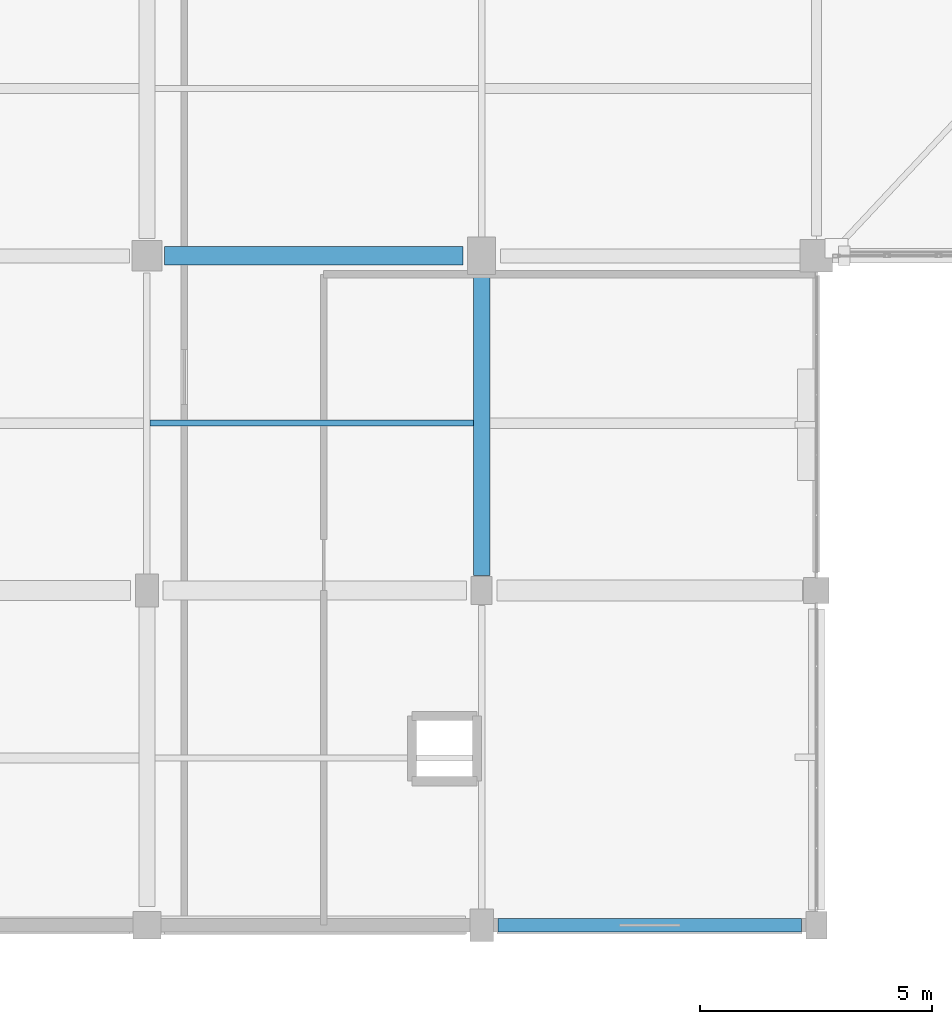
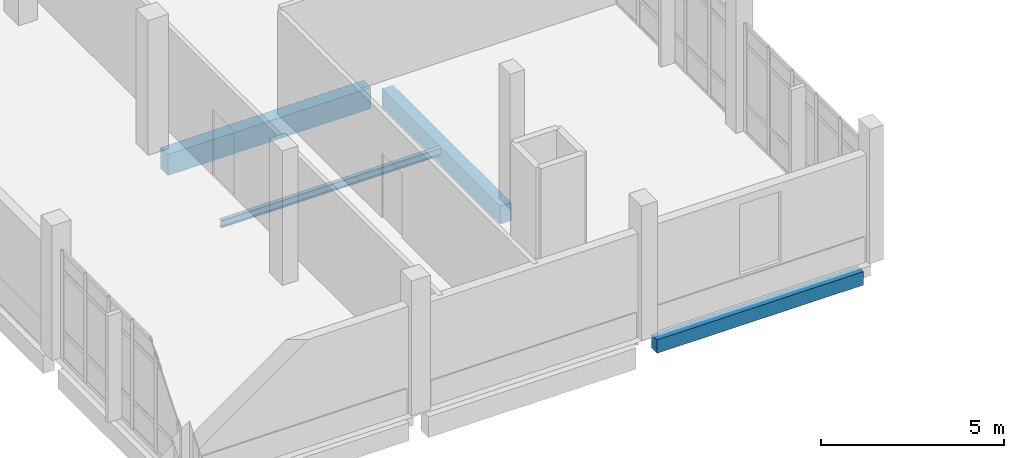
# One storey, part 10 of 124: 4 beams.
"""IFC4 building model written with IfcOpenShell, lengths in metres."""

import ifcopenshell
import ifcopenshell.guid

model = None  # the IFC model being written
_history = None  # IfcOwnerHistory: only IFC2X3 demands one
_inside = {}  # id of a spatial element -> (the spatial element, [elements in it])
_under = {}  # id of a project, library or spatial element -> (it, [spatial elements below it])
_declared = {}  # id of a project -> (the project, [libraries it declares])
_typed = {}  # id of a type object -> (the type object, [elements of that type])
_made_of = {}  # id of a material, layer set ... -> (it, [elements and type objects made of it])


def new_model(schema):
    """Start an empty IFC model of exactly this schema.

    Asked for "IFC4X3", IfcOpenShell would pick the latest addendum, in which some entities
    have other attributes; the version numbers below select the first issue.
    IFC2X3 requires an IfcOwnerHistory on every rooted entity: one is made here for all.
    """
    global model, _history
    if schema == "IFC4X3":
        model = ifcopenshell.file(schema_version=(4, 3, 0, 0))
    else:
        model = ifcopenshell.file(schema=schema)
    _inside.clear()
    _under.clear()
    _declared.clear()
    _typed.clear()
    _made_of.clear()
    _history = None
    if model.schema == "IFC2X3":
        org = make("IfcOrganization", Name="unknown")
        user = make(
            "IfcPersonAndOrganization",
            ThePerson=make("IfcPerson", FamilyName="unknown"),
            TheOrganization=org,
        )
        app = make(
            "IfcApplication",
            ApplicationDeveloper=org,
            Version="unknown",
            ApplicationFullName="unknown",
            ApplicationIdentifier="unknown",
        )
        _history = make(
            "IfcOwnerHistory",
            OwningUser=user,
            OwningApplication=app,
            ChangeAction="ADDED",
            CreationDate=0,
        )
    return model


def make(cls, **values):
    """One entity of the class cls with the attributes given. An attribute that is None is left unset."""
    return model.create_entity(
        cls, **{name: value for name, value in values.items() if value is not None}
    )


def rooted(cls, **values):
    """An entity with a GlobalId (a new one), such as an element, a storey or a relation."""
    return make(cls, GlobalId=ifcopenshell.guid.new(), OwnerHistory=_history, **values)


def si_unit(unit_type, name, prefix=None):
    """IfcSIUnit, for example si_unit("LENGTHUNIT", "METRE", prefix="MILLI")."""
    return make("IfcSIUnit", UnitType=unit_type, Prefix=prefix, Name=name)


def assignment(units):
    """IfcUnitAssignment: the units of a project."""
    return None if units is None else make("IfcUnitAssignment", Units=units)


def point(xyz):
    """IfcCartesianPoint."""
    return None if xyz is None else make("IfcCartesianPoint", Coordinates=xyz)


def direction(xyz):
    """IfcDirection."""
    return None if xyz is None else make("IfcDirection", DirectionRatios=xyz)


def frame(location, z_axis=None, x_axis=None):
    """IfcAxis2Placement3D, a coordinate frame: its origin and axes. An axis left out is left unset."""
    return make(
        "IfcAxis2Placement3D",
        Location=point(location),
        Axis=direction(z_axis),
        RefDirection=direction(x_axis),
    )


def frame_2d(location, x_axis=None):
    """IfcAxis2Placement2D, a coordinate frame in the plane: its origin and x axis."""
    return make(
        "IfcAxis2Placement2D", Location=point(location), RefDirection=direction(x_axis)
    )


def origin():
    """The frame at (0, 0, 0) with its axes left unset."""
    return frame((0.0, 0.0, 0.0))


def origin_2d():
    """The frame at (0, 0) in the plane with its x axis left unset."""
    return frame_2d((0.0, 0.0))


def place(relative_to, where):
    """IfcLocalPlacement: puts the frame where relative to a parent placement (None: the world)."""
    return make(
        "IfcLocalPlacement", PlacementRelTo=relative_to, RelativePlacement=where
    )


def context(
    kind, dimensions, precision=None, world=None, true_north=None, identifier=None
):
    """IfcGeometricRepresentationContext, for example the 3D "Model" context."""
    return make(
        "IfcGeometricRepresentationContext",
        ContextIdentifier=identifier,
        ContextType=kind,
        CoordinateSpaceDimension=dimensions,
        Precision=precision,
        WorldCoordinateSystem=world,
        TrueNorth=true_north,
    )


def subcontext(parent, identifier, kind, view, scale=None):
    """IfcGeometricRepresentationSubContext, for example "Body" below "Model"."""
    return make(
        "IfcGeometricRepresentationSubContext",
        ContextIdentifier=identifier,
        ContextType=kind,
        ParentContext=parent,
        TargetScale=scale,
        TargetView=view,
    )


def project(units=None, contexts=None):
    """IfcProject with its units and contexts."""
    return rooted(
        "IfcProject",
        Name="project",
        RepresentationContexts=contexts,
        UnitsInContext=assignment(units),
    )


def spatial(cls, under=None, at=None, **own):
    """A site, building, storey or space (cls), placed at a placement, below another one or the project."""
    s = rooted(cls, ObjectPlacement=at, **own)
    if under is not None:
        _under.setdefault(under.id(), (under, []))[1].append(s)
    return s


def profile(cls, at=None, kind="AREA", **sizes):
    """A parametric profile (cls). Its sizes go by their IFC names, for example OverallWidth=200.0."""
    return make(cls, ProfileType=kind, Position=at, **sizes)


def rectangle(**sizes):
    """IfcRectangleProfileDef."""
    return profile("IfcRectangleProfileDef", **sizes)


def i_section(**sizes):
    """IfcIShapeProfileDef."""
    return profile("IfcIShapeProfileDef", **sizes)


def extrude(swept, where, along, depth):
    """IfcExtrudedAreaSolid: the profile swept, set in the frame where, extruded along a direction by depth."""
    return make(
        "IfcExtrudedAreaSolid",
        SweptArea=swept,
        Position=where,
        ExtrudedDirection=direction(along),
        Depth=depth,
    )


def shape(context_of_items, identifier, shape_type, items):
    """IfcShapeRepresentation: the items that make up one representation, for example the "Body"."""
    return make(
        "IfcShapeRepresentation",
        ContextOfItems=context_of_items,
        RepresentationIdentifier=identifier,
        RepresentationType=shape_type,
        Items=items,
    )


def material(Name=None, Category=None):
    """IfcMaterial."""
    return make("IfcMaterial", Name=Name, Category=Category)


def material_profile(
    of_material, cross_section, Name=None, Category=None, Priority=None
):
    """IfcMaterialProfile: a cross section and its material."""
    return make(
        "IfcMaterialProfile",
        Name=Name,
        Material=of_material,
        Profile=cross_section,
        Priority=Priority,
        Category=Category,
    )


def profile_set(profiles, Name=None, composite=None):
    """IfcMaterialProfileSet."""
    return make(
        "IfcMaterialProfileSet",
        Name=Name,
        MaterialProfiles=profiles,
        CompositeProfile=composite,
    )


def made_of(thing, what):
    """Note that an element or type object is made of a material, layer set ...; save() writes the relation."""
    if what is not None:
        _made_of.setdefault(what.id(), (what, []))[1].append(thing)
    return thing


def type_object(cls, material=None, **own):
    """A type object (cls), such as IfcWallType, which elements share."""
    return made_of(rooted(cls, **own), material)


def element(
    cls,
    number,
    at=None,
    inside=None,
    cuts=None,
    type_object=None,
    material=None,
    context=None,
    identifier="Body",
    shape_type=None,
    held_by="IfcProductDefinitionShape",
    body=None,
    shapes=None,
    **own,
):
    """One element of the class cls, such as IfcWall. Its Tag is "e" and its number.

    at: its placement. inside: the storey or other place that contains it. cuts: it is an
    opening in that element (IfcRelVoidsElement). A single representation is given by context,
    identifier, shape_type and body (its items); several are given by shapes. held_by: the class
    of the entity that holds the representations. save() writes the other relations.
    """
    e = rooted(cls, Tag="e%d" % number, ObjectPlacement=at, **own)
    if body is not None:
        shapes = [shape(context, identifier, shape_type, body)]
    if shapes is not None:
        e.Representation = make(held_by, Representations=shapes)
    if inside is not None:
        _inside.setdefault(inside.id(), (inside, []))[1].append(e)
    if cuts is not None:
        rooted(
            "IfcRelVoidsElement", RelatingBuildingElement=cuts, RelatedOpeningElement=e
        )
    if type_object is not None:
        _typed.setdefault(type_object.id(), (type_object, []))[1].append(e)
    return made_of(e, material)


def aggregate(whole, parts):
    """IfcRelAggregates: a whole, such as a stair, and the parts it consists of."""
    return rooted("IfcRelAggregates", RelatingObject=whole, RelatedObjects=parts)


def save(model, path):
    """Write the relations noted so far, then the file.

    IfcRelAggregates (storeys below a building ...), IfcRelContainedInSpatialStructure (elements
    in a storey), IfcRelDefinesByType, IfcRelAssociatesMaterial and IfcRelDeclares: one each for
    every whole, place, type object, material and project.
    """
    for whole, parts in _under.values():
        aggregate(whole, parts)
    for where, things in _inside.values():
        rooted(
            "IfcRelContainedInSpatialStructure",
            RelatedElements=things,
            RelatingStructure=where,
        )
    for kind, things in _typed.values():
        rooted("IfcRelDefinesByType", RelatedObjects=things, RelatingType=kind)
    for what, things in _made_of.values():
        rooted("IfcRelAssociatesMaterial", RelatedObjects=things, RelatingMaterial=what)
    for by, libraries in _declared.values():
        rooted("IfcRelDeclares", RelatingContext=by, RelatedDefinitions=libraries)
    model.write(path)


model = new_model("IFC4")

# Units and contexts
model_context = context("Model", 3, precision=1e-05, world=origin(), true_north=direction((0.0, 1.0)))
body_context = subcontext(model_context, "Body", "Model", "MODEL_VIEW")
ifc_project = project(units=[si_unit("LENGTHUNIT", "METRE"), si_unit("AREAUNIT", "SQUARE_METRE"), si_unit("VOLUMEUNIT", "CUBIC_METRE"), si_unit("PLANEANGLEUNIT", "RADIAN"), si_unit("MASSUNIT", "GRAM", prefix="KILO")], contexts=[model_context])

# Site, building, storey
site_placement = place(None, origin())
site = spatial("IfcSite", under=ifc_project, at=site_placement, CompositionType="ELEMENT")
building_placement = place(site_placement, origin())
building = spatial("IfcBuilding", under=site, at=building_placement, Name="Kalluvel Institute of Natural Sciences", CompositionType="ELEMENT")
storey_placement = place(building_placement, frame((0.0, 0.0, 9.89990234375)))
storey = spatial("IfcBuildingStorey", under=building, at=storey_placement, Name="L02", CompositionType="ELEMENT", Elevation=9.89990234375)

# Beams
ifc_material_1 = material(Name="Concrete M40", Category="concrete")
ifc_material_profile_1 = material_profile(ifc_material_1, rectangle(XDim=0.35009765625, YDim=0.60009765625, at=origin_2d()), Name="RCB 350x600")
ifc_profile_set_1 = profile_set([ifc_material_profile_1], Name="Concrete M40")
beam_type_1 = type_object("IfcBeamType", Name="BM-RC350x600", PredefinedType="BEAM", material=ifc_profile_set_1)
beam_1_placement = place(storey_placement, frame((28.39990234375, 21.52490234375, -0.599853515625), z_axis=(0.0, 1.0, 0.0), x_axis=(-1.0, 0.0, 0.0)))
element("IfcBeam", 1, at=beam_1_placement, inside=storey, type_object=beam_type_1, Name="L02 girder GIR-L02-NS-X284-Y212", PredefinedType="BEAM", context=body_context, shape_type="SweptSolid", body=[
    extrude(rectangle(XDim=0.35009765625, YDim=0.60009765625, at=origin_2d()), origin(), (0.0, 0.0, 1.0), 6.47509765625),
])
ifc_material_profile_2 = material_profile(ifc_material_1, rectangle(XDim=0.300048828125, YDim=0.449951171875, at=origin_2d()), Name="RCB 300x450")
ifc_profile_set_2 = profile_set([ifc_material_profile_2], Name="Concrete M40")
beam_type_2 = type_object("IfcBeamType", Name="SP-RC300x450", PredefinedType="SPANDREL", material=ifc_profile_set_2)
beam_2_placement = place(storey_placement, frame((28.75, 14.0, -0.52490234375), z_axis=(1.0, 0.0, 0.0), x_axis=(0.0, 1.0, 0.0)))
element("IfcBeam", 2, at=beam_2_placement, inside=storey, type_object=beam_type_2, Name="L02 girder GIR-L02-EW-X284-Y140", PredefinedType="SPANDREL", context=body_context, shape_type="SweptSolid", body=[
    extrude(rectangle(XDim=0.300048828125, YDim=0.449951171875, at=origin_2d()), origin(), (0.0, 0.0, 1.0), 6.52490234375),
])
ifc_material_profile_3 = material_profile(ifc_material_1, rectangle(XDim=0.39990234375, YDim=0.699951171875, at=origin_2d()), Name="RCB 400x700")
ifc_profile_set_3 = profile_set([ifc_material_profile_3], Name="Concrete M40")
beam_type_3 = type_object("IfcBeamType", Name="SP-RC400x700", PredefinedType="SPANDREL", material=ifc_profile_set_3)
beam_3_placement = place(storey_placement, frame((21.574951171875, 28.39990234375, -0.64990234375), z_axis=(1.0, 0.0, 0.0), x_axis=(0.0, 1.0, 0.0)))
element("IfcBeam", 3, at=beam_3_placement, inside=storey, type_object=beam_type_3, Name="L02 girder GIR-L02-EW-X212-Y284", PredefinedType="SPANDREL", context=body_context, shape_type="SweptSolid", body=[
    extrude(rectangle(XDim=0.39990234375, YDim=0.699951171875, at=origin_2d()), origin(), (0.0, 0.0, 1.0), 6.425048828125),
])
ifc_material_2 = material(Name="Steel E350 Grade 350", Category="steel")
ifc_material_profile_4 = material_profile(ifc_material_2, i_section(OverallWidth=0.125, OverallDepth=0.25, WebThickness=0.0068359375, FlangeThickness=0.012451171875, FilletRadius=0.012939453125, at=origin_2d()), Name="ISMB 250")
ifc_profile_set_4 = profile_set([ifc_material_profile_4], Name="Steel E350 Grade 350")
beam_type_4 = type_object("IfcBeamType", Name="WJ-ISMB250", PredefinedType="JOIST", material=ifc_profile_set_4)
beam_4_placement = place(storey_placement, frame((21.27001953125, 24.800048828125, -0.4248046875), z_axis=(1.0, 0.0, 0.0), x_axis=(0.0, 1.0, 0.0)))
element("IfcBeam", 4, at=beam_4_placement, inside=storey, type_object=beam_type_4, Name="L02 floor rib RIB-L02-0656", PredefinedType="JOIST", context=body_context, shape_type="SweptSolid", body=[
    extrude(i_section(OverallWidth=0.125, OverallDepth=0.25, WebThickness=0.0068359375, FlangeThickness=0.012451171875, FilletRadius=0.012939453125, at=origin_2d()), origin(), (0.0, 0.0, 1.0), 6.955078125),
])

save(model, "model.ifc")
